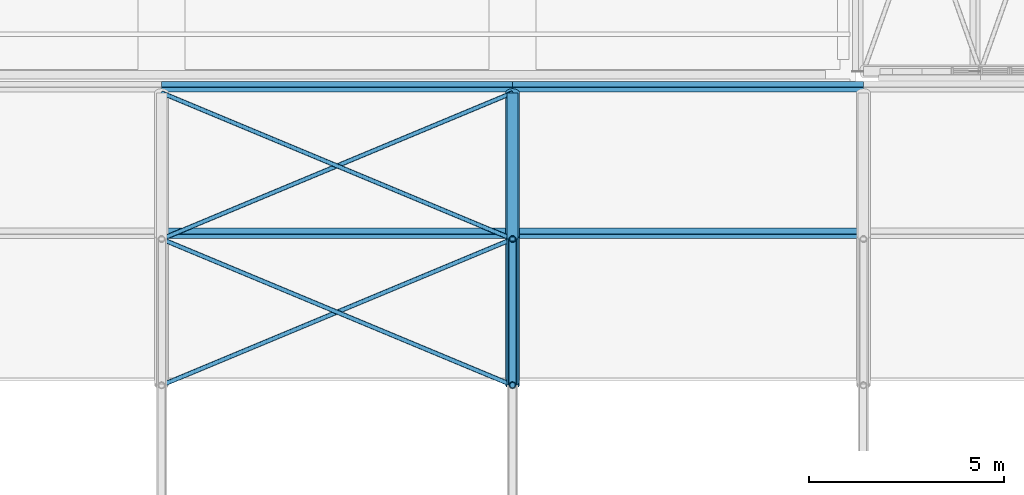
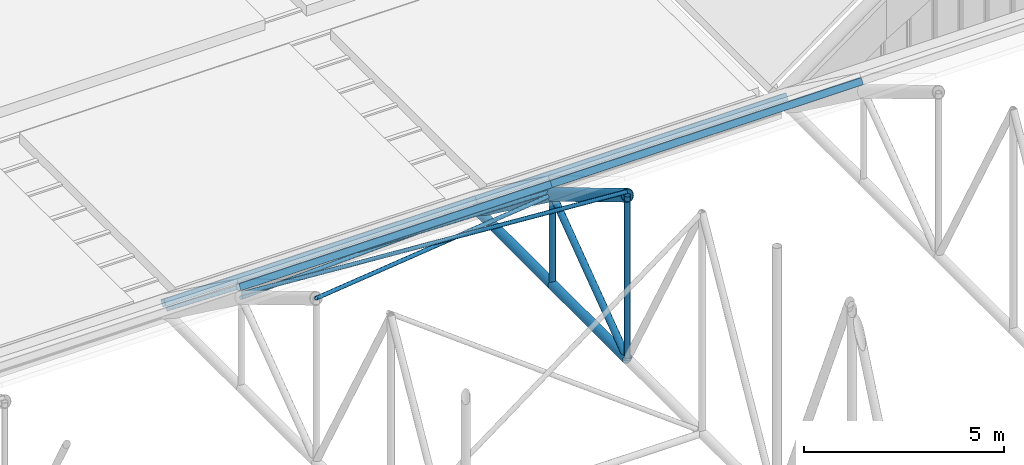
# One storey, part 42 of 153: 15 members.
"""IFC4 building model written with IfcOpenShell, lengths in metres."""

from ifc_helpers import new_model, si_unit, direction, frame, origin, origin_2d, place, context, subcontext, project, spatial, hollow_rectangle, hollow_circle, extrude, material, material_profile, profile_set, type_object, element, save


model = new_model("IFC4")

# Units and contexts
model_context = context("Model", 3, precision=1e-05, world=origin(), true_north=direction((0.0, 1.0)))
body_context = subcontext(model_context, "Body", "Model", "MODEL_VIEW")
ifc_project = project(units=[si_unit("LENGTHUNIT", "METRE"), si_unit("AREAUNIT", "SQUARE_METRE"), si_unit("VOLUMEUNIT", "CUBIC_METRE"), si_unit("PLANEANGLEUNIT", "RADIAN"), si_unit("MASSUNIT", "GRAM", prefix="KILO")], contexts=[model_context])

# Site, building, storey
site_placement = place(None, origin())
site = spatial("IfcSite", under=ifc_project, at=site_placement, CompositionType="ELEMENT")
building_placement = place(site_placement, origin())
building = spatial("IfcBuilding", under=site, at=building_placement, Name="Baradari Gate Terminus", CompositionType="ELEMENT")
storey_placement = place(building_placement, frame((0.0, 0.0, 11.699951171875)))
storey = spatial("IfcBuildingStorey", under=building, at=storey_placement, Name="L02", CompositionType="ELEMENT", Elevation=11.699951171875)

# Members
ifc_material_1 = material(Name="Steel S355", Category="steel")
ifc_material_profile_1 = material_profile(ifc_material_1, hollow_circle(Radius=0.136474609375, WallThickness=0.012451171875, at=origin_2d()), Name="CHS 273x12.5")
ifc_profile_set_1 = profile_set([ifc_material_profile_1], Name="Steel S355")
member_type_1 = type_object("IfcMemberType", Name="Shed bottom chord CHS 273x12.5", PredefinedType="CHORD", material=ifc_profile_set_1)
for number, where, z_axis, x_axis, name in (
    (1, (126.0, 73.5, 0.136474609375), (0.0, 1.0, 0.0), (-1.0, 0.0, 0.0), "TR/L02/S126-BC10"),
    (2, (126.0, 77.25, 0.136474609375), (0.0, 1.0, 0.0), (-1.0, 0.0, 0.0), "TR/L02/S126-BC11"),
):
    element("IfcMember", number, at=place(storey_placement, frame(where, z_axis=z_axis, x_axis=x_axis)), inside=storey, type_object=member_type_1, Name=name, PredefinedType="CHORD", context=body_context, shape_type="SweptSolid", body=[
        extrude(hollow_circle(Radius=0.136474609375, WallThickness=0.012451171875, at=origin_2d()), origin(), (0.0, 0.0, 1.0), 3.75),
    ])
ifc_material_2 = material(Name="Steel S355", Category="steel")
ifc_material_profile_2 = material_profile(ifc_material_2, hollow_rectangle(XDim=0.199951171875, YDim=0.199951171875, WallThickness=0.008056640625, InnerFilletRadius=0.008056640625, OuterFilletRadius=0.01611328125, at=origin_2d()), Name="SHS 200x200x8")
ifc_profile_set_2 = profile_set([ifc_material_profile_2], Name="Steel S355")
member_type_2 = type_object("IfcMemberType", Name="Shed purlin SHS 200x200x8", PredefinedType="PURLIN", material=ifc_profile_set_2)
for number, where, z_axis, x_axis, name in (
    (3, (117.0, 77.397216796875, 3.10791015625), (1.0, 0.0, 0.0), (0.0, 0.832836263724, -0.55351942859), "TR/L02/B126-PU11"),
    (4, (117.0, 81.1572265625, 0.350830078125), (1.0, 0.0, 0.0), (0.0, 0.80640499586, -0.591363663621), "TR/L02/B126-PU12"),
    (5, (126.0, 77.397216796875, 3.10791015625), (1.0, 0.0, 0.0), (0.0, 0.832836263724, -0.55351942859), "TR/L02/B135-PU11"),
    (6, (126.0, 81.1572265625, 0.350830078125), (1.0, 0.0, 0.0), (0.0, 0.80640499586, -0.591363663621), "TR/L02/B135-PU12"),
):
    element("IfcMember", number, at=place(storey_placement, frame(where, z_axis=z_axis, x_axis=x_axis)), inside=storey, type_object=member_type_2, Name=name, PredefinedType="PURLIN", context=body_context, shape_type="SweptSolid", body=[
        extrude(hollow_rectangle(XDim=0.199951171875, YDim=0.199951171875, WallThickness=0.008056640625, InnerFilletRadius=0.008056640625, OuterFilletRadius=0.01611328125, at=origin_2d()), origin(), (0.0, 0.0, 1.0), 9.0),
    ])
ifc_material_3 = material(Name="Steel S355", Category="steel")
ifc_material_profile_3 = material_profile(ifc_material_3, hollow_circle(Radius=0.05712890625, WallThickness=0.00634765625, at=origin_2d()), Name="CHS 114.3x6.3")
ifc_profile_set_3 = profile_set([ifc_material_profile_3], Name="Steel S355")
member_type_3 = type_object("IfcMemberType", Name="Shed roof brace CHS 114.3x6.3", PredefinedType="BRACE", material=ifc_profile_set_3)
for number, where, z_axis, x_axis, name in (
    (7, (117.0, 73.5, 5.136474609375), (0.899438026795, 0.374765844498, -0.224859506699), (-0.384615384615, 0.923076923077, 0.0), "TR/L02/B126-RB10A"),
    (8, (126.0, 73.5, 5.250732421875), (-0.899438026795, 0.374765844498, -0.224859506699), (-0.384615384615, -0.923076923077, 0.0), "TR/L02/B126-RB10B"),
):
    element("IfcMember", number, at=place(storey_placement, frame(where, z_axis=z_axis, x_axis=x_axis)), inside=storey, type_object=member_type_3, Name=name, PredefinedType="BRACE", context=body_context, shape_type="SweptSolid", body=[
        extrude(hollow_circle(Radius=0.05712890625, WallThickness=0.00634765625, at=origin_2d()), origin(), (0.0, 0.0, 1.0), 10.00634765625),
    ])
for number, where, z_axis, x_axis, name in (
    (9, (117.0, 77.25, 2.886474609375), (0.888415085526, 0.370172952302, -0.271460165022), (-0.384615384615, 0.923076923077, 0.0), "TR/L02/B126-RB11A"),
    (10, (126.0, 77.25, 3.000732421875), (-0.888415085526, 0.370172952302, -0.271460165022), (-0.384615384615, -0.923076923077, 0.0), "TR/L02/B126-RB11B"),
):
    element("IfcMember", number, at=place(storey_placement, frame(where, z_axis=z_axis, x_axis=x_axis)), inside=storey, type_object=member_type_3, Name=name, PredefinedType="BRACE", context=body_context, shape_type="SweptSolid", body=[
        extrude(hollow_circle(Radius=0.05712890625, WallThickness=0.00634765625, at=origin_2d()), origin(), (0.0, 0.0, 1.0), 10.13037109375),
    ])
ifc_material_4 = material(Name="Steel S355", Category="steel")
ifc_material_profile_4 = material_profile(ifc_material_4, hollow_circle(Radius=0.177734375, WallThickness=0.01611328125, at=origin_2d()), Name="CHS 355.6x16")
ifc_profile_set_4 = profile_set([ifc_material_profile_4], Name="Steel S355")
member_type_4 = type_object("IfcMemberType", Name="Shed top chord CHS 355.6x16", PredefinedType="CHORD", material=ifc_profile_set_4)
member_1_placement = place(storey_placement, frame((126.0, 73.5, 5.136474609375), z_axis=(0.0, 0.857492925713, -0.514495755428), x_axis=(-1.0, 0.0, 0.0)))
element("IfcMember", 11, at=member_1_placement, inside=storey, type_object=member_type_4, Name="TR/L02/S126-TC10", PredefinedType="CHORD", context=body_context, shape_type="SweptSolid", body=[
    extrude(hollow_circle(Radius=0.177734375, WallThickness=0.01611328125, at=origin_2d()), origin(), (0.0, 0.0, 1.0), 4.373291015625),
])
member_2_placement = place(storey_placement, frame((126.0, 77.25, 2.886474609375), z_axis=(0.0, 0.806404995856, -0.591363663628), x_axis=(-1.0, 0.0, 0.0)))
element("IfcMember", 12, at=member_2_placement, inside=storey, type_object=member_type_4, Name="TR/L02/S126-TC11", PredefinedType="CHORD", context=body_context, shape_type="SweptSolid", body=[
    extrude(hollow_circle(Radius=0.177734375, WallThickness=0.01611328125, at=origin_2d()), origin(), (0.0, 0.0, 1.0), 4.650390625),
])
ifc_material_5 = material(Name="Steel S355", Category="steel")
ifc_material_profile_5 = material_profile(ifc_material_5, hollow_circle(Radius=0.096923828125, WallThickness=0.008056640625, at=origin_2d()), Name="CHS 193.7x8")
ifc_profile_set_5 = profile_set([ifc_material_profile_5], Name="Steel S355")
member_type_5 = type_object("IfcMemberType", Name="Shed truss diagonal CHS 193.7x8", PredefinedType="BRACE", material=ifc_profile_set_5)
member_3_placement = place(storey_placement, frame((126.0, 77.25, 2.886474609375), z_axis=(0.0, -0.806404995856, -0.591363663628), x_axis=(1.0, 0.0, 0.0)))
element("IfcMember", 13, at=member_3_placement, inside=storey, type_object=member_type_5, Name="TR/L02/S126-SD10", PredefinedType="BRACE", context=body_context, shape_type="SweptSolid", body=[
    extrude(hollow_circle(Radius=0.096923828125, WallThickness=0.008056640625, at=origin_2d()), origin(), (0.0, 0.0, 1.0), 4.650390625),
])
ifc_material_6 = material(Name="Steel S355", Category="steel")
ifc_material_profile_6 = material_profile(ifc_material_6, hollow_circle(Radius=0.084228515625, WallThickness=0.008056640625, at=origin_2d()), Name="CHS 168.3x8")
ifc_profile_set_6 = profile_set([ifc_material_profile_6], Name="Steel S355")
member_type_6 = type_object("IfcMemberType", Name="Shed truss post CHS 168.3x8", PredefinedType="POST", material=ifc_profile_set_6)
member_4_placement = place(storey_placement, frame((126.0, 73.5, 0.136474609375), z_axis=(0.0, 0.0, 1.0), x_axis=(1.0, 0.0, 0.0)))
element("IfcMember", 14, at=member_4_placement, inside=storey, type_object=member_type_6, Name="TR/L02/S126-SP10", PredefinedType="POST", context=body_context, shape_type="SweptSolid", body=[
    extrude(hollow_circle(Radius=0.084228515625, WallThickness=0.008056640625, at=origin_2d()), origin(), (0.0, 0.0, 1.0), 5.0),
])
member_5_placement = place(storey_placement, frame((126.0, 77.25, 0.136474609375), z_axis=(0.0, 0.0, 1.0), x_axis=(1.0, 0.0, 0.0)))
element("IfcMember", 15, at=member_5_placement, inside=storey, type_object=member_type_6, Name="TR/L02/S126-SP11", PredefinedType="POST", context=body_context, shape_type="SweptSolid", body=[
    extrude(hollow_circle(Radius=0.084228515625, WallThickness=0.008056640625, at=origin_2d()), origin(), (0.0, 0.0, 1.0), 2.75),
])

save(model, "model.ifc")
